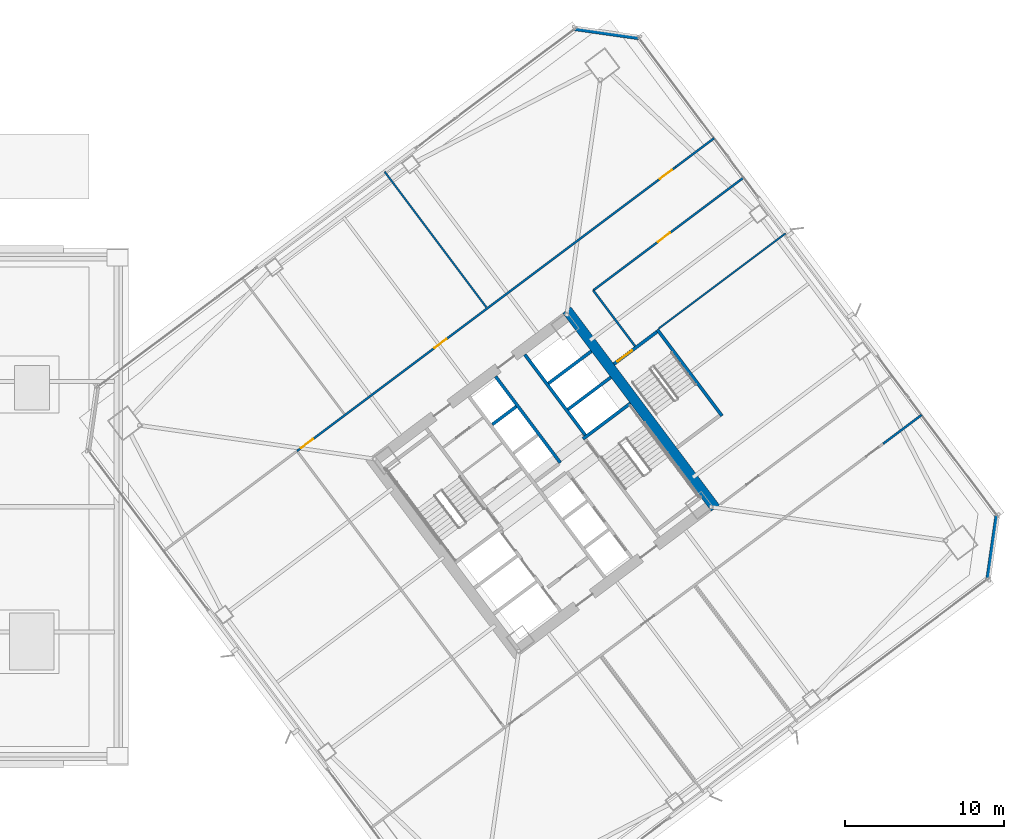
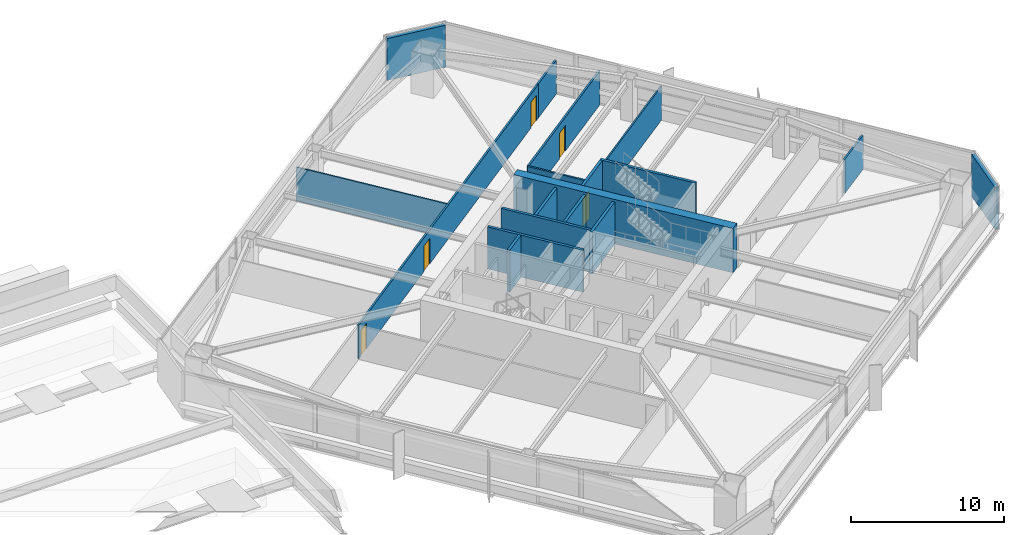
# One storey, part 47 of 62: 18 walls, 5 doors, 5 openings.
"""IFC4 building model written with IfcOpenShell, lengths in metres."""

from ifc_helpers import new_model, si_unit, direction, frame, frame_2d, origin, place, context, subcontext, project, spatial, rectangle, extrude, material, layer, layer_set, type_object, element, fill, save


model = new_model("IFC4")

# Units and contexts
model_context = context("Model", 3, precision=1e-05, world=origin(), true_north=direction((0.0, 1.0)))
body_context = subcontext(model_context, "Body", "Model", "MODEL_VIEW")
ifc_project = project(units=[si_unit("LENGTHUNIT", "METRE"), si_unit("AREAUNIT", "SQUARE_METRE"), si_unit("VOLUMEUNIT", "CUBIC_METRE"), si_unit("PLANEANGLEUNIT", "RADIAN"), si_unit("MASSUNIT", "GRAM", prefix="KILO")], contexts=[model_context])

# Site, building, storey
site_placement = place(None, origin())
site = spatial("IfcSite", under=ifc_project, at=site_placement, CompositionType="ELEMENT")
building_placement = place(site_placement, origin())
building = spatial("IfcBuilding", under=site, at=building_placement, Name="Tashvorn Skyway Center", CompositionType="ELEMENT")
storey_placement = place(building_placement, frame((0.0, 0.0, 28.14990234375)))
storey = spatial("IfcBuildingStorey", under=building, at=storey_placement, Name="L06", CompositionType="ELEMENT", Elevation=28.14990234375)

# Walls
ifc_material_1 = material(Name="Concrete C60/75", Category="concrete")
ifc_layer_1 = layer(ifc_material_1, 0.64990234375)
ifc_layer_set_1 = layer_set([ifc_layer_1], Name="Concrete C60/75")
wall_type_1 = type_object("IfcWallType", Name="WALL-CORE-650", PredefinedType="SHEAR", material=ifc_layer_set_1)
wall_1_placement = place(storey_placement, frame((115.52392578125, 42.89306640625, 0.0), z_axis=(0.0, 0.0, 1.0), x_axis=(0.600005007985, -0.799996243986, 0.0)))
element("IfcWall", 1, at=wall_1_placement, inside=storey, type_object=wall_type_1, Name="Tower 2 L06 East Core Shear Wall", PredefinedType="SHEAR", context=body_context, shape_type="SweptSolid", body=[
    extrude(rectangle(XDim=15.60009765625, YDim=0.64990234375, at=frame_2d((7.800048828125, 0.0))), origin(), (0.0, 0.0, 1.0), 3.550048828125),
])
ifc_material_2 = material(Name="Precast concrete C40/50", Category="concrete")
ifc_layer_2 = layer(ifc_material_2, 0.280029296875)
ifc_layer_set_2 = layer_set([ifc_layer_2], Name="Precast concrete C40/50")
wall_type_2 = type_object("IfcWallType", Name="WALL-EXT-280", PredefinedType="SOLIDWALL", material=ifc_layer_set_2)
for number, where, z_axis, x_axis, name in (
    (2, (116.02001953125, 60.639892578125, 0.0), (0.0, 0.0, 1.0), (0.989955445613, -0.14137968631, 0.0), "Tower 2 L06 NE Precast Chamfer Wall"),
    (3, (142.639892578125, 29.97998046875, 0.0), (0.0, 0.0, 1.0), (-0.14137968631, -0.989955445613, 0.0), "Tower 2 L06 SE Precast Chamfer Wall"),
):
    element("IfcWall", number, at=place(storey_placement, frame(where, z_axis=z_axis, x_axis=x_axis)), inside=storey, type_object=wall_type_2, Name=name, PredefinedType="SOLIDWALL", context=body_context, shape_type="SweptSolid", body=[
        extrude(rectangle(XDim=4.101318359375, YDim=0.280029296875, at=frame_2d((2.05078125, 0.0))), origin(), (0.0, 0.0, 1.0), 3.35009765625),
    ])
ifc_material_3 = material(Name="Gypsum board on cold-formed steel stud framing", Category="steel")
ifc_layer_3 = layer(ifc_material_3, 0.110107421875)
ifc_layer_set_3 = layer_set([ifc_layer_3], Name="Gypsum board on cold-formed steel stud framing")
wall_type_3 = type_object("IfcWallType", Name="WALL-PART-110", PredefinedType="PARTITIONING", material=ifc_layer_set_3)
wall_2_placement = place(storey_placement, frame((110.451904296875, 43.06396484375, 0.0), z_axis=(0.0, 0.0, 1.0), x_axis=(-0.599992698573, 0.800005476018, 0.0)))
element("IfcWall", 4, at=wall_2_placement, inside=storey, type_object=wall_type_3, Name="Tower 2 L06 North Suite Partition 2", PredefinedType="PARTITIONING", context=body_context, shape_type="SweptSolid", body=[
    extrude(rectangle(XDim=10.699951171875, YDim=0.110107421875, at=frame_2d((5.35009765625, 0.0))), origin(), (0.0, 0.0, 1.0), 2.703125),
])
wall_3_placement = place(storey_placement, frame((129.303955078125, 47.72802734375, 0.0), z_axis=(0.0, 0.0, 1.0), x_axis=(-0.8, -0.6, 0.0)))
element("IfcWall", 5, at=wall_3_placement, inside=storey, type_object=wall_type_3, Name="Tower 2 L06 East Suite Partition 1", PredefinedType="PARTITIONING", context=body_context, shape_type="SweptSolid", body=[
    extrude(rectangle(XDim=10.0, YDim=0.110107421875, at=frame_2d((5.0, 0.0))), origin(), (0.0, 0.0, 1.0), 2.703125),
])
ifc_layer_4 = layer(ifc_material_3, 0.135009765625)
ifc_layer_set_4 = layer_set([ifc_layer_4], Name="Gypsum board on cold-formed steel stud framing")
wall_type_4 = type_object("IfcWallType", Name="WALL-PART-135", PredefinedType="PARTITIONING", material=ifc_layer_set_4)
wall_4_placement = place(storey_placement, frame((119.823974609375, 40.617919921875, 0.0), z_axis=(0.0, 0.0, 1.0), x_axis=(-0.599982243973, 0.800013316712, 0.0)))
element("IfcWall", 6, at=wall_4_placement, inside=storey, type_object=wall_type_4, Name="Tower 2 L06 Stair 3 Access Corridor Wall", PredefinedType="PARTITIONING", context=body_context, shape_type="SweptSolid", body=[
    extrude(rectangle(XDim=4.39990234375, YDim=0.135009765625, at=frame_2d((2.199951171875, 0.0))), origin(), (0.0, 0.0, 1.0), 2.703125),
])

# Wall, openings, doors
wall_5_placement = place(storey_placement, frame((98.51611328125, 34.011962890625, 0.0), z_axis=(0.0, 0.0, 1.0), x_axis=(0.799998035726, 0.600002619023, 0.0)))
wall_5 = element("IfcWall", 7, at=wall_5_placement, inside=storey, type_object=wall_type_4, Name="Tower 2 L06 North Suite Wall", PredefinedType="PARTITIONING", context=body_context, shape_type="SweptSolid", body=[
    extrude(rectangle(XDim=29.829833984375, YDim=0.135009765625, at=frame_2d((14.9150390625, 0.0))), origin(), (0.0, 0.0, 1.0), 2.703125),
])
opening_1_placement = place(wall_5_placement, frame((0.300048828125, 0.0, 0.0)))
opening_1 = element("IfcOpeningElement", 8, at=opening_1_placement, cuts=wall_5, Name="Opening D-INT-950", PredefinedType="OPENING", context=body_context, shape_type="SweptSolid", body=[
    extrude(rectangle(XDim=0.949951171875, YDim=2.050048828125, at=frame_2d((0.47509765625, 1.02490234375))), frame((0.0, 0.077392578125, 0.0), z_axis=(0.0, -1.0, 0.0), x_axis=(1.0, 0.0, 0.0)), (0.0, 0.0, 1.0), 0.155029296875),
])
opening_2_placement = place(wall_5_placement, frame((10.82861328125, 0.0, 0.0)))
opening_2 = element("IfcOpeningElement", 9, at=opening_2_placement, cuts=wall_5, Name="Opening D-INT-950", PredefinedType="OPENING", context=body_context, shape_type="SweptSolid", body=[
    extrude(rectangle(XDim=0.949951171875, YDim=2.050048828125, at=frame_2d((0.47509765625, 1.02490234375))), frame((0.0, 0.077392578125, 0.0), z_axis=(0.0, -1.0, 0.0), x_axis=(1.0, 0.0, 0.0)), (0.0, 0.0, 1.0), 0.155029296875),
])
opening_3_placement = place(wall_5_placement, frame((28.580078125, 0.0, 0.0)))
opening_3 = element("IfcOpeningElement", 10, at=opening_3_placement, cuts=wall_5, Name="Opening D-INT-950", PredefinedType="OPENING", context=body_context, shape_type="SweptSolid", body=[
    extrude(rectangle(XDim=0.949951171875, YDim=2.050048828125, at=frame_2d((0.47509765625, 1.02490234375))), frame((0.0, 0.077392578125, 0.0), z_axis=(0.0, -1.0, 0.0), x_axis=(1.0, 0.0, 0.0)), (0.0, 0.0, 1.0), 0.155029296875),
])
ifc_material_4 = material(Name="Solid-core architectural oak veneer door")
door_type_1 = type_object("IfcDoorType", Name="DOOR-INT-950", OperationType="NOTDEFINED", PredefinedType="DOOR", material=ifc_material_4)
door_1_placement = place(opening_1_placement, origin())
door_1 = element("IfcDoor", 11, at=door_1_placement, inside=storey, type_object=door_type_1, Name="Tower 2 L06 Open Plan Office Door", OperationType="SINGLE_SWING_RIGHT", OverallHeight=2.050048828125, OverallWidth=0.949951171875, PredefinedType="DOOR", context=body_context, shape_type="SweptSolid", body=[
    extrude(rectangle(XDim=0.949951171875, YDim=2.050048828125, at=frame_2d((0.47509765625, 1.02490234375))), frame((0.0, 0.02490234375, 0.0), z_axis=(0.0, -1.0, 0.0), x_axis=(1.0, 0.0, 0.0)), (0.0, 0.0, 1.0), 0.050048828125),
])
fill(opening_1, door_1)
door_2_placement = place(opening_2_placement, origin())
door_2 = element("IfcDoor", 12, at=door_2_placement, inside=storey, type_object=door_type_1, Name="Tower 2 L06 Open Plan Office Door", OperationType="SINGLE_SWING_LEFT", OverallHeight=2.050048828125, OverallWidth=0.949951171875, PredefinedType="DOOR", context=body_context, shape_type="SweptSolid", body=[
    extrude(rectangle(XDim=0.949951171875, YDim=2.050048828125, at=frame_2d((0.47509765625, 1.02490234375))), frame((0.0, 0.02490234375, 0.0), z_axis=(0.0, -1.0, 0.0), x_axis=(1.0, 0.0, 0.0)), (0.0, 0.0, 1.0), 0.050048828125),
])
fill(opening_2, door_2)
door_3_placement = place(opening_3_placement, origin())
door_3 = element("IfcDoor", 13, at=door_3_placement, inside=storey, type_object=door_type_1, Name="Tower 2 L06 Catering Pantry Door", OperationType="SINGLE_SWING_RIGHT", OverallHeight=2.050048828125, OverallWidth=0.949951171875, PredefinedType="DOOR", context=body_context, shape_type="SweptSolid", body=[
    extrude(rectangle(XDim=0.949951171875, YDim=2.050048828125, at=frame_2d((0.47509765625, 1.02490234375))), frame((0.0, 0.02490234375, 0.0), z_axis=(0.0, -1.0, 0.0), x_axis=(1.0, 0.0, 0.0)), (0.0, 0.0, 1.0), 0.050048828125),
])
fill(opening_3, door_3)

# Walls
for number, where, z_axis, x_axis, name in (
    (14, (122.3798828125, 51.909912109375, 0.0), (0.0, 0.0, 1.0), (0.799990331366, 0.600012891296, 0.0), "Tower 2 L06 North-East Suite South Wall"),
    (15, (135.4599609375, 34.469970703125, 0.0), (0.0, 0.0, 1.0), (0.799990331366, 0.600012891296, 0.0), "Tower 2 L06 South-East Suite North Wall"),
):
    element("IfcWall", number, at=place(storey_placement, frame(where, z_axis=z_axis, x_axis=x_axis)), inside=storey, type_object=wall_type_4, Name=name, PredefinedType="PARTITIONING", context=body_context, shape_type="SweptSolid", body=[
        extrude(rectangle(XDim=3.030029296875, YDim=0.135009765625, at=frame_2d((1.51513671875, 0.0))), origin(), (0.0, 0.0, 1.0), 2.703125),
    ])

# Wall, opening, door
wall_6_placement = place(storey_placement, frame((126.6640625, 51.248046875, 0.0), z_axis=(0.0, 0.0, 1.0), x_axis=(-0.799995055373, -0.600006592779, 0.0)))
wall_6 = element("IfcWall", 16, at=wall_6_placement, inside=storey, type_object=wall_type_4, Name="Tower 2 L06 East Suite North Wall", PredefinedType="PARTITIONING", context=body_context, shape_type="SweptSolid", body=[
    extrude(rectangle(XDim=11.85009765625, YDim=0.135009765625, at=frame_2d((5.925048828125, 0.0))), origin(), (0.0, 0.0, 1.0), 2.703125),
])
opening_4_placement = place(wall_6_placement, frame((5.800048828125, 0.0, 0.0)))
opening_4 = element("IfcOpeningElement", 17, at=opening_4_placement, cuts=wall_6, Name="Opening D-INT-950", PredefinedType="OPENING", context=body_context, shape_type="SweptSolid", body=[
    extrude(rectangle(XDim=0.949951171875, YDim=2.050048828125, at=frame_2d((0.47509765625, 1.02490234375))), frame((0.0, 0.077392578125, 0.0), z_axis=(0.0, -1.0, 0.0), x_axis=(1.0, 0.0, 0.0)), (0.0, 0.0, 1.0), 0.155029296875),
])
door_4_placement = place(opening_4_placement, origin())
door_4 = element("IfcDoor", 18, at=door_4_placement, inside=storey, type_object=door_type_1, Name="Tower 2 L06 Executive Study Lounge Door", OperationType="SINGLE_SWING_RIGHT", OverallHeight=2.050048828125, OverallWidth=0.949951171875, PredefinedType="DOOR", context=body_context, shape_type="SweptSolid", body=[
    extrude(rectangle(XDim=0.949951171875, YDim=2.050048828125, at=frame_2d((0.47509765625, 1.02490234375))), frame((0.0, 0.02490234375, 0.0), z_axis=(0.0, -1.0, 0.0), x_axis=(1.0, 0.0, 0.0)), (0.0, 0.0, 1.0), 0.050048828125),
])
fill(opening_4, door_4)

# Walls
ifc_material_5 = material(Name="Concrete C40/50", Category="concrete")
ifc_layer_5 = layer(ifc_material_5, 0.199951171875)
ifc_layer_set_5 = layer_set([ifc_layer_5], Name="Concrete C40/50")
wall_type_5 = type_object("IfcWallType", Name="WALL-SHAFT-200", PredefinedType="SOLIDWALL", material=ifc_layer_set_5)
for number, where, z_axis, x_axis, name in (
    (19, (115.590087890625, 36.6298828125, 0.0), (0.0, 0.0, 1.0), (0.799973995579, 0.600034670996, 0.0), "Tower 2 L06 High-Rise Shaft Divider"),
    (20, (114.360107421875, 38.27001953125, 0.0), (0.0, 0.0, 1.0), (0.799973995579, 0.600034670996, 0.0), "Tower 2 L06 High-Rise Shaft Divider"),
):
    element("IfcWall", number, at=place(storey_placement, frame(where, z_axis=z_axis, x_axis=x_axis)), inside=storey, type_object=wall_type_5, Name=name, PredefinedType="SOLIDWALL", context=body_context, shape_type="SweptSolid", body=[
        extrude(rectangle(XDim=3.3798828125, YDim=0.199951171875, at=frame_2d((1.68994140625, 0.0))), origin(), (0.0, 0.0, 1.0), 3.35009765625),
    ])
wall_7_placement = place(storey_placement, frame((115.110107421875, 33.27001953125, 0.0), z_axis=(0.0, 0.0, 1.0), x_axis=(-0.600011488909, 0.79999138319, 0.0)))
element("IfcWall", 21, at=wall_7_placement, inside=storey, type_object=wall_type_5, Name="Tower 2 L06 Mid-Rise Core Wall", PredefinedType="SOLIDWALL", context=body_context, shape_type="SweptSolid", body=[
    extrude(rectangle(XDim=6.800048828125, YDim=0.199951171875, at=frame_2d((3.39990234375, 0.0))), origin(), (0.0, 0.0, 1.0), 3.35009765625),
])
wall_8_placement = place(storey_placement, frame((110.825927734375, 35.681884765625, 0.0), z_axis=(0.0, 0.0, 1.0), x_axis=(0.799984418148, 0.600020775241, 0.0)))
element("IfcWall", 22, at=wall_8_placement, inside=storey, type_object=wall_type_5, Name="Tower 2 L06 Mid-Rise Shaft Divider", PredefinedType="SOLIDWALL", context=body_context, shape_type="SweptSolid", body=[
    extrude(rectangle(XDim=1.880126953125, YDim=0.199951171875, at=frame_2d((0.93994140625, 0.0))), origin(), (0.0, 0.0, 1.0), 3.35009765625),
])
ifc_layer_6 = layer(ifc_material_5, 0.199951171875)
ifc_layer_set_6 = layer_set([ifc_layer_6], Name="Concrete C40/50")
wall_type_6 = type_object("IfcWallType", Name="WALL-STSHF-200", PredefinedType="SHEAR", material=ifc_layer_set_6)
wall_9_placement = place(storey_placement, frame((116.5400390625, 34.780029296875, 0.0), z_axis=(0.0, 0.0, 1.0), x_axis=(0.799984290658, 0.600020945218, 0.0)))
element("IfcWall", 23, at=wall_9_placement, inside=storey, type_object=wall_type_6, Name="Tower 2 L06 Stair 2 North Wall", PredefinedType="SHEAR", context=body_context, shape_type="SweptSolid", body=[
    extrude(rectangle(XDim=3.72998046875, YDim=0.199951171875, at=frame_2d((1.864990234375, 0.0))), origin(), (0.0, 0.0, 1.0), 3.35009765625),
])
wall_10_placement = place(storey_placement, frame((112.8701171875, 40.090087890625, 0.0), z_axis=(0.0, 0.0, 1.0), x_axis=(0.599975393228, -0.800018454488, 0.0)))
element("IfcWall", 24, at=wall_10_placement, inside=storey, type_object=wall_type_6, Name="Tower 2 L06 High-Rise Lift Shaft Front Wall", PredefinedType="SHEAR", context=body_context, shape_type="SweptSolid", body=[
    extrude(rectangle(XDim=6.349853515625, YDim=0.199951171875, at=frame_2d((3.1748046875, 0.0))), origin(), (0.0, 0.0, 1.0), 3.35009765625),
])
wall_11_placement = place(storey_placement, frame((125.303955078125, 36.22802734375, 0.0), z_axis=(0.0, 0.0, 1.0), x_axis=(-0.59998851072, 0.800008616831, 0.0)))
element("IfcWall", 25, at=wall_11_placement, inside=storey, type_object=wall_type_6, Name="Tower 2 L06 Stair 3 Outer Wall", PredefinedType="SHEAR", context=body_context, shape_type="SweptSolid", body=[
    extrude(rectangle(XDim=6.7998046875, YDim=0.199951171875, at=frame_2d((3.39990234375, 0.0))), origin(), (0.0, 0.0, 1.0), 3.35009765625),
])

# Wall, opening, door
wall_12_placement = place(storey_placement, frame((121.2041015625, 41.528076171875, 0.0), z_axis=(0.0, 0.0, 1.0), x_axis=(-0.800017232136, -0.599977023131, 0.0)))
wall_12 = element("IfcWall", 26, at=wall_12_placement, inside=storey, type_object=wall_type_6, Name="Tower 2 L06 Stair 3 Enclosure Wall", PredefinedType="SHEAR", context=body_context, shape_type="SweptSolid", body=[
    extrude(rectangle(XDim=3.400146484375, YDim=0.199951171875, at=frame_2d((1.7001953125, 0.0))), origin(), (0.0, 0.0, 1.0), 3.35009765625),
])
opening_5_placement = place(wall_12_placement, frame((1.97509765625, 0.0, 0.0)))
opening_5 = element("IfcOpeningElement", 27, at=opening_5_placement, cuts=wall_12, Name="Opening D-ST-1150", PredefinedType="OPENING", context=body_context, shape_type="SweptSolid", body=[
    extrude(rectangle(XDim=1.14990234375, YDim=2.199951171875, at=frame_2d((0.574951171875, 1.10009765625))), frame((0.0, 0.10986328125, 0.0), z_axis=(0.0, -1.0, 0.0), x_axis=(1.0, 0.0, 0.0)), (0.0, 0.0, 1.0), 0.219970703125),
])
ifc_material_6 = material(Name="Hollow galvanized steel fire door assembly", Category="steel")
door_type_2 = type_object("IfcDoorType", Name="DOOR-STAIR-1150", OperationType="NOTDEFINED", PredefinedType="DOOR", material=ifc_material_6)
door_5_placement = place(opening_5_placement, origin())
door_5 = element("IfcDoor", 28, at=door_5_placement, inside=storey, type_object=door_type_2, Name="Tower 2 L06 Exit Stair 3 Door", OperationType="SINGLE_SWING_RIGHT", OverallHeight=2.199951171875, OverallWidth=1.14990234375, PredefinedType="DOOR", context=body_context, shape_type="SweptSolid", body=[
    extrude(rectangle(XDim=1.14990234375, YDim=2.199951171875, at=frame_2d((0.574951171875, 1.10009765625))), frame((0.0, 0.02490234375, 0.0), z_axis=(0.0, -1.0, 0.0), x_axis=(1.0, 0.0, 0.0)), (0.0, 0.0, 1.0), 0.050048828125),
])
fill(opening_5, door_5)

save(model, "model.ifc")
